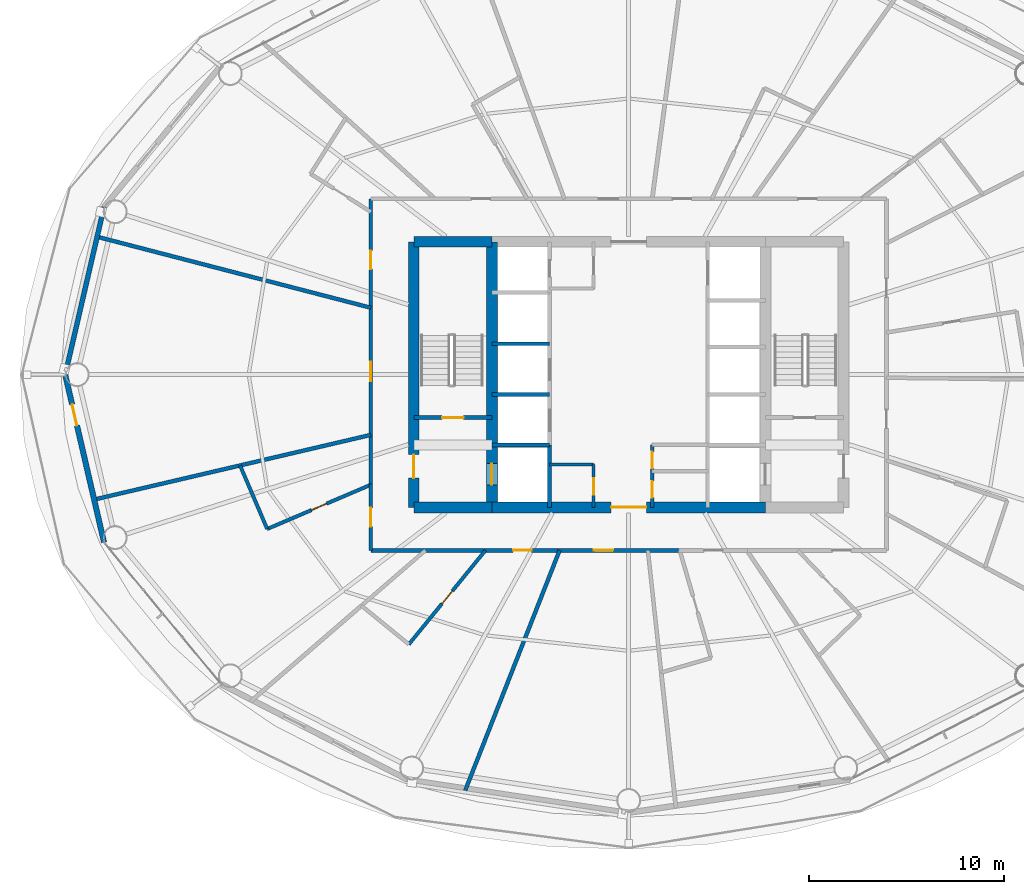
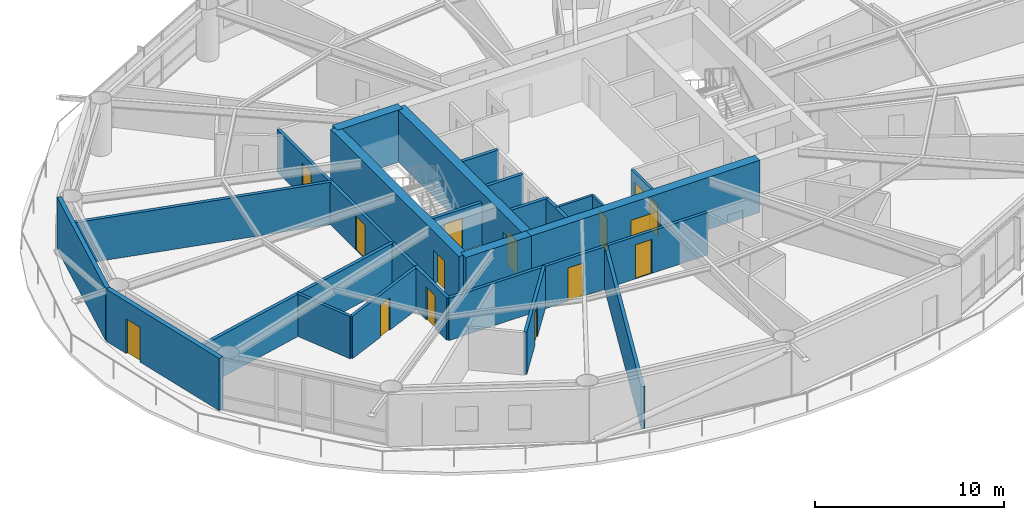
# One storey, part 18 of 24: 24 walls, 15 doors, 15 openings.
"""IFC4 building model written with IfcOpenShell, lengths in metres."""

import ifcopenshell
import ifcopenshell.guid

model = None  # the IFC model being written
_history = None  # IfcOwnerHistory: only IFC2X3 demands one
_inside = {}  # id of a spatial element -> (the spatial element, [elements in it])
_under = {}  # id of a project, library or spatial element -> (it, [spatial elements below it])
_declared = {}  # id of a project -> (the project, [libraries it declares])
_typed = {}  # id of a type object -> (the type object, [elements of that type])
_made_of = {}  # id of a material, layer set ... -> (it, [elements and type objects made of it])


def new_model(schema):
    """Start an empty IFC model of exactly this schema.

    Asked for "IFC4X3", IfcOpenShell would pick the latest addendum, in which some entities
    have other attributes; the version numbers below select the first issue.
    IFC2X3 requires an IfcOwnerHistory on every rooted entity: one is made here for all.
    """
    global model, _history
    if schema == "IFC4X3":
        model = ifcopenshell.file(schema_version=(4, 3, 0, 0))
    else:
        model = ifcopenshell.file(schema=schema)
    _inside.clear()
    _under.clear()
    _declared.clear()
    _typed.clear()
    _made_of.clear()
    _history = None
    if model.schema == "IFC2X3":
        org = make("IfcOrganization", Name="unknown")
        user = make(
            "IfcPersonAndOrganization",
            ThePerson=make("IfcPerson", FamilyName="unknown"),
            TheOrganization=org,
        )
        app = make(
            "IfcApplication",
            ApplicationDeveloper=org,
            Version="unknown",
            ApplicationFullName="unknown",
            ApplicationIdentifier="unknown",
        )
        _history = make(
            "IfcOwnerHistory",
            OwningUser=user,
            OwningApplication=app,
            ChangeAction="ADDED",
            CreationDate=0,
        )
    return model


def make(cls, **values):
    """One entity of the class cls with the attributes given. An attribute that is None is left unset."""
    return model.create_entity(
        cls, **{name: value for name, value in values.items() if value is not None}
    )


def rooted(cls, **values):
    """An entity with a GlobalId (a new one), such as an element, a storey or a relation."""
    return make(cls, GlobalId=ifcopenshell.guid.new(), OwnerHistory=_history, **values)


def si_unit(unit_type, name, prefix=None):
    """IfcSIUnit, for example si_unit("LENGTHUNIT", "METRE", prefix="MILLI")."""
    return make("IfcSIUnit", UnitType=unit_type, Prefix=prefix, Name=name)


def assignment(units):
    """IfcUnitAssignment: the units of a project."""
    return None if units is None else make("IfcUnitAssignment", Units=units)


def point(xyz):
    """IfcCartesianPoint."""
    return None if xyz is None else make("IfcCartesianPoint", Coordinates=xyz)


def direction(xyz):
    """IfcDirection."""
    return None if xyz is None else make("IfcDirection", DirectionRatios=xyz)


def frame(location, z_axis=None, x_axis=None):
    """IfcAxis2Placement3D, a coordinate frame: its origin and axes. An axis left out is left unset."""
    return make(
        "IfcAxis2Placement3D",
        Location=point(location),
        Axis=direction(z_axis),
        RefDirection=direction(x_axis),
    )


def frame_2d(location, x_axis=None):
    """IfcAxis2Placement2D, a coordinate frame in the plane: its origin and x axis."""
    return make(
        "IfcAxis2Placement2D", Location=point(location), RefDirection=direction(x_axis)
    )


def origin():
    """The frame at (0, 0, 0) with its axes left unset."""
    return frame((0.0, 0.0, 0.0))


def place(relative_to, where):
    """IfcLocalPlacement: puts the frame where relative to a parent placement (None: the world)."""
    return make(
        "IfcLocalPlacement", PlacementRelTo=relative_to, RelativePlacement=where
    )


def context(
    kind, dimensions, precision=None, world=None, true_north=None, identifier=None
):
    """IfcGeometricRepresentationContext, for example the 3D "Model" context."""
    return make(
        "IfcGeometricRepresentationContext",
        ContextIdentifier=identifier,
        ContextType=kind,
        CoordinateSpaceDimension=dimensions,
        Precision=precision,
        WorldCoordinateSystem=world,
        TrueNorth=true_north,
    )


def subcontext(parent, identifier, kind, view, scale=None):
    """IfcGeometricRepresentationSubContext, for example "Body" below "Model"."""
    return make(
        "IfcGeometricRepresentationSubContext",
        ContextIdentifier=identifier,
        ContextType=kind,
        ParentContext=parent,
        TargetScale=scale,
        TargetView=view,
    )


def project(units=None, contexts=None):
    """IfcProject with its units and contexts."""
    return rooted(
        "IfcProject",
        Name="project",
        RepresentationContexts=contexts,
        UnitsInContext=assignment(units),
    )


def spatial(cls, under=None, at=None, **own):
    """A site, building, storey or space (cls), placed at a placement, below another one or the project."""
    s = rooted(cls, ObjectPlacement=at, **own)
    if under is not None:
        _under.setdefault(under.id(), (under, []))[1].append(s)
    return s


def profile(cls, at=None, kind="AREA", **sizes):
    """A parametric profile (cls). Its sizes go by their IFC names, for example OverallWidth=200.0."""
    return make(cls, ProfileType=kind, Position=at, **sizes)


def rectangle(**sizes):
    """IfcRectangleProfileDef."""
    return profile("IfcRectangleProfileDef", **sizes)


def extrude(swept, where, along, depth):
    """IfcExtrudedAreaSolid: the profile swept, set in the frame where, extruded along a direction by depth."""
    return make(
        "IfcExtrudedAreaSolid",
        SweptArea=swept,
        Position=where,
        ExtrudedDirection=direction(along),
        Depth=depth,
    )


def shape(context_of_items, identifier, shape_type, items):
    """IfcShapeRepresentation: the items that make up one representation, for example the "Body"."""
    return make(
        "IfcShapeRepresentation",
        ContextOfItems=context_of_items,
        RepresentationIdentifier=identifier,
        RepresentationType=shape_type,
        Items=items,
    )


def material(Name=None, Category=None):
    """IfcMaterial."""
    return make("IfcMaterial", Name=Name, Category=Category)


def layer(
    of_material, thickness, ventilated=None, Name=None, Category=None, Priority=None
):
    """IfcMaterialLayer: one layer of a wall or slab, of a material (None: an air gap)."""
    return make(
        "IfcMaterialLayer",
        Material=of_material,
        LayerThickness=thickness,
        IsVentilated=ventilated,
        Name=Name,
        Category=Category,
        Priority=Priority,
    )


def layer_set(layers, Name=None):
    """IfcMaterialLayerSet."""
    return make("IfcMaterialLayerSet", MaterialLayers=layers, LayerSetName=Name)


def made_of(thing, what):
    """Note that an element or type object is made of a material, layer set ...; save() writes the relation."""
    if what is not None:
        _made_of.setdefault(what.id(), (what, []))[1].append(thing)
    return thing


def type_object(cls, material=None, **own):
    """A type object (cls), such as IfcWallType, which elements share."""
    return made_of(rooted(cls, **own), material)


def element(
    cls,
    number,
    at=None,
    inside=None,
    cuts=None,
    type_object=None,
    material=None,
    context=None,
    identifier="Body",
    shape_type=None,
    held_by="IfcProductDefinitionShape",
    body=None,
    shapes=None,
    **own,
):
    """One element of the class cls, such as IfcWall. Its Tag is "e" and its number.

    at: its placement. inside: the storey or other place that contains it. cuts: it is an
    opening in that element (IfcRelVoidsElement). A single representation is given by context,
    identifier, shape_type and body (its items); several are given by shapes. held_by: the class
    of the entity that holds the representations. save() writes the other relations.
    """
    e = rooted(cls, Tag="e%d" % number, ObjectPlacement=at, **own)
    if body is not None:
        shapes = [shape(context, identifier, shape_type, body)]
    if shapes is not None:
        e.Representation = make(held_by, Representations=shapes)
    if inside is not None:
        _inside.setdefault(inside.id(), (inside, []))[1].append(e)
    if cuts is not None:
        rooted(
            "IfcRelVoidsElement", RelatingBuildingElement=cuts, RelatedOpeningElement=e
        )
    if type_object is not None:
        _typed.setdefault(type_object.id(), (type_object, []))[1].append(e)
    return made_of(e, material)


def fill(opening, filler):
    """IfcRelFillsElement: the door or window that sits in an opening."""
    return rooted(
        "IfcRelFillsElement",
        RelatingOpeningElement=opening,
        RelatedBuildingElement=filler,
    )


def aggregate(whole, parts):
    """IfcRelAggregates: a whole, such as a stair, and the parts it consists of."""
    return rooted("IfcRelAggregates", RelatingObject=whole, RelatedObjects=parts)


def save(model, path):
    """Write the relations noted so far, then the file.

    IfcRelAggregates (storeys below a building ...), IfcRelContainedInSpatialStructure (elements
    in a storey), IfcRelDefinesByType, IfcRelAssociatesMaterial and IfcRelDeclares: one each for
    every whole, place, type object, material and project.
    """
    for whole, parts in _under.values():
        aggregate(whole, parts)
    for where, things in _inside.values():
        rooted(
            "IfcRelContainedInSpatialStructure",
            RelatedElements=things,
            RelatingStructure=where,
        )
    for kind, things in _typed.values():
        rooted("IfcRelDefinesByType", RelatedObjects=things, RelatingType=kind)
    for what, things in _made_of.values():
        rooted("IfcRelAssociatesMaterial", RelatedObjects=things, RelatingMaterial=what)
    for by, libraries in _declared.values():
        rooted("IfcRelDeclares", RelatingContext=by, RelatedDefinitions=libraries)
    model.write(path)


model = new_model("IFC4")

# Units and contexts
model_context = context("Model", 3, precision=1e-05, world=origin(), true_north=direction((0.0, 1.0)))
body_context = subcontext(model_context, "Body", "Model", "MODEL_VIEW")
ifc_project = project(units=[si_unit("LENGTHUNIT", "METRE"), si_unit("AREAUNIT", "SQUARE_METRE"), si_unit("VOLUMEUNIT", "CUBIC_METRE"), si_unit("PLANEANGLEUNIT", "RADIAN"), si_unit("MASSUNIT", "GRAM", prefix="KILO")], contexts=[model_context])

# Site, building, storey
site_placement = place(None, origin())
site = spatial("IfcSite", under=ifc_project, at=site_placement, CompositionType="ELEMENT")
building_placement = place(site_placement, origin())
building = spatial("IfcBuilding", under=site, at=building_placement, Name="Sarneth Arch Tower", CompositionType="ELEMENT")
storey_placement = place(building_placement, frame((0.0, 0.0, 112.800048828125)))
storey = spatial("IfcBuildingStorey", under=building, at=storey_placement, Name="L28", CompositionType="ELEMENT", Elevation=112.800048828125)

# Wall
ifc_material_1 = material(Name="Concrete C60/75", Category="concrete")
ifc_layer_1 = layer(ifc_material_1, 0.550048828125)
ifc_layer_set_1 = layer_set([ifc_layer_1], Name="Concrete C60/75")
wall_type_1 = type_object("IfcWallType", Name="WALL-CORE-550", PredefinedType="SHEAR", material=ifc_layer_set_1)
wall_1_placement = place(storey_placement, frame((37.0, 35.199951171875, 0.0), z_axis=(0.0, 0.0, 1.0), x_axis=(1.0, 0.0, 0.0)))
element("IfcWall", 1, at=wall_1_placement, inside=storey, type_object=wall_type_1, Name="L28 Core shear wall S-W", PredefinedType="SHEAR", context=body_context, shape_type="SweptSolid", body=[
    extrude(rectangle(XDim=4.0, YDim=0.550048828125, at=frame_2d((2.0, 0.0))), origin(), (0.0, 0.0, 1.0), 3.3798828125),
])

# Wall, opening, door
wall_2_placement = place(storey_placement, frame((41.0, 35.199951171875, 0.0), z_axis=(0.0, 0.0, 1.0), x_axis=(1.0, 0.0, 0.0)))
wall_2 = element("IfcWall", 2, at=wall_2_placement, inside=storey, type_object=wall_type_1, Name="L28 Core shear wall S-M", PredefinedType="SHEAR", context=body_context, shape_type="SweptSolid", body=[
    extrude(rectangle(XDim=14.0, YDim=0.550048828125, at=frame_2d((7.0, 0.0))), origin(), (0.0, 0.0, 1.0), 3.3798828125),
])
opening_1_placement = place(wall_2_placement, frame((6.10009765625, 0.0, 0.0)))
opening_1 = element("IfcOpeningElement", 3, at=opening_1_placement, cuts=wall_2, Name="Opening FD-01", PredefinedType="OPENING", context=body_context, shape_type="SweptSolid", body=[
    extrude(rectangle(XDim=1.800048828125, YDim=2.25, at=frame_2d((0.89990234375, 1.125))), frame((0.0, 0.284912109375, 0.0), z_axis=(0.0, -1.0, 0.0), x_axis=(1.0, 0.0, 0.0)), (0.0, 0.0, 1.0), 0.570068359375),
])
ifc_material_2 = material(Name="Galvanised Steel S275 fire door set", Category="steel")
door_type_1 = type_object("IfcDoorType", Name="DR-FD90-1800", OperationType="DOUBLE_DOOR_SINGLE_SWING", PredefinedType="DOOR", material=ifc_material_2)
door_1_placement = place(opening_1_placement, origin())
door_1 = element("IfcDoor", 4, at=door_1_placement, inside=storey, type_object=door_type_1, Name="L28 Central lift lobby south door", OperationType="DOUBLE_DOOR_SINGLE_SWING", OverallHeight=2.25, OverallWidth=1.800048828125, PredefinedType="DOOR", context=body_context, shape_type="SweptSolid", body=[
    extrude(rectangle(XDim=1.800048828125, YDim=2.25, at=frame_2d((0.89990234375, 1.125))), frame((0.0, 0.02490234375, 0.0), z_axis=(0.0, -1.0, 0.0), x_axis=(1.0, 0.0, 0.0)), (0.0, 0.0, 1.0), 0.050048828125),
])
fill(opening_1, door_1)

# Wall
wall_3_placement = place(storey_placement, frame((37.0, 48.800048828125, 0.0), z_axis=(0.0, 0.0, 1.0), x_axis=(1.0, 0.0, 0.0)))
element("IfcWall", 5, at=wall_3_placement, inside=storey, type_object=wall_type_1, Name="L28 Core shear wall N-W", PredefinedType="SHEAR", context=body_context, shape_type="SweptSolid", body=[
    extrude(rectangle(XDim=4.0, YDim=0.550048828125, at=frame_2d((2.0, 0.0))), origin(), (0.0, 0.0, 1.0), 3.3798828125),
])

# Wall, opening, door
wall_4_placement = place(storey_placement, frame((37.0, 35.199951171875, 0.0), z_axis=(0.0, 0.0, 1.0), x_axis=(0.0, 1.0, 0.0)))
wall_4 = element("IfcWall", 6, at=wall_4_placement, inside=storey, type_object=wall_type_1, Name="L28 Core shear wall W", PredefinedType="SHEAR", context=body_context, shape_type="SweptSolid", body=[
    extrude(rectangle(XDim=13.60009765625, YDim=0.550048828125, at=frame_2d((6.800048828125, 0.0))), origin(), (0.0, 0.0, 1.0), 3.3798828125),
])
opening_2_placement = place(wall_4_placement, frame((1.5, 0.0, 0.0)))
opening_2 = element("IfcOpeningElement", 7, at=opening_2_placement, cuts=wall_4, Name="Opening FD-02", PredefinedType="OPENING", context=body_context, shape_type="SweptSolid", body=[
    extrude(rectangle(XDim=1.199951171875, YDim=2.14990234375, at=frame_2d((0.60009765625, 1.074951171875))), frame((0.0, 0.284912109375, 0.0), z_axis=(0.0, -1.0, 0.0), x_axis=(1.0, 0.0, 0.0)), (0.0, 0.0, 1.0), 0.570068359375),
])
ifc_material_3 = material(Name="Galvanised Steel S275 fire door set", Category="steel")
door_type_2 = type_object("IfcDoorType", Name="DR-FD90-1200", OperationType="SINGLE_SWING_LEFT", PredefinedType="DOOR", material=ifc_material_3)
door_2_placement = place(opening_2_placement, origin())
door_2 = element("IfcDoor", 8, at=door_2_placement, inside=storey, type_object=door_type_2, Name="L28 Firefighting lobby 1 exit door", OperationType="SINGLE_SWING_LEFT", OverallHeight=2.14990234375, OverallWidth=1.199951171875, PredefinedType="DOOR", context=body_context, shape_type="SweptSolid", body=[
    extrude(rectangle(XDim=1.199951171875, YDim=2.14990234375, at=frame_2d((0.60009765625, 1.074951171875))), frame((0.0, 0.02490234375, 0.0), z_axis=(0.0, -1.0, 0.0), x_axis=(1.0, 0.0, 0.0)), (0.0, 0.0, 1.0), 0.050048828125),
])
fill(opening_2, door_2)

wall_5_placement = place(storey_placement, frame((41.0, 35.199951171875, 0.0), z_axis=(0.0, 0.0, 1.0), x_axis=(0.0, 1.0, 0.0)))
wall_5 = element("IfcWall", 9, at=wall_5_placement, inside=storey, type_object=wall_type_1, Name="L28 Core shear wall WEB-W", PredefinedType="SHEAR", context=body_context, shape_type="SweptSolid", body=[
    extrude(rectangle(XDim=13.60009765625, YDim=0.550048828125, at=frame_2d((6.800048828125, 0.0))), origin(), (0.0, 0.0, 1.0), 3.3798828125),
])
opening_3_placement = place(wall_5_placement, frame((1.14990234375, 0.0, 0.0)))
opening_3 = element("IfcOpeningElement", 10, at=opening_3_placement, cuts=wall_5, Name="Opening LD-1", PredefinedType="OPENING", context=body_context, shape_type="SweptSolid", body=[
    extrude(rectangle(XDim=1.10009765625, YDim=2.199951171875, at=frame_2d((0.550048828125, 1.10009765625))), frame((0.0, 0.284912109375, 0.0), z_axis=(0.0, -1.0, 0.0), x_axis=(1.0, 0.0, 0.0)), (0.0, 0.0, 1.0), 0.570068359375),
])
ifc_material_4 = material(Name="Brushed Stainless Steel 304 lift landing door", Category="steel")
door_type_3 = type_object("IfcDoorType", Name="DR-LIFT-SLIDE-1100", OperationType="SLIDING_TO_LEFT", PredefinedType="DOOR", material=ifc_material_4)
door_3_placement = place(opening_3_placement, origin())
door_3 = element("IfcDoor", 11, at=door_3_placement, inside=storey, type_object=door_type_3, Name="L28 Firefighting lift landing door FL-1", OperationType="SLIDING_TO_LEFT", OverallHeight=2.199951171875, OverallWidth=1.10009765625, PredefinedType="DOOR", context=body_context, shape_type="SweptSolid", body=[
    extrude(rectangle(XDim=1.10009765625, YDim=2.199951171875, at=frame_2d((0.550048828125, 1.10009765625))), frame((0.0, 0.02490234375, 0.0), z_axis=(0.0, -1.0, 0.0), x_axis=(1.0, 0.0, 0.0)), (0.0, 0.0, 1.0), 0.050048828125),
])
fill(opening_3, door_3)

# Wall, openings, doors
ifc_material_5 = material(Name="Double steel-stud corridor fire wall", Category="steel")
ifc_layer_2 = layer(ifc_material_5, 0.18994140625)
ifc_layer_set_2 = layer_set([ifc_layer_2], Name="Double steel-stud corridor fire wall")
wall_type_2 = type_object("IfcWallType", Name="WALL-CORR-190", PredefinedType="PARTITIONING", material=ifc_layer_set_2)
wall_6_placement = place(storey_placement, frame((34.800048828125, 36.32861328125, 0.0), z_axis=(0.0, 0.0, 1.0), x_axis=(0.0, 1.0, 0.0)))
wall_6 = element("IfcWall", 12, at=wall_6_placement, inside=storey, type_object=wall_type_2, Name="L28 Interior partition W-L28-TP-012", PredefinedType="PARTITIONING", context=body_context, shape_type="SweptSolid", body=[
    extrude(rectangle(XDim=14.67138671875, YDim=0.18994140625, at=frame_2d((7.335693359375, 0.0))), origin(), (0.0, 0.0, 1.0), 2.739990234375),
])
opening_4_placement = place(wall_6_placement, frame((5.3408203125, 0.0, 0.0)))
opening_4 = element("IfcOpeningElement", 13, at=opening_4_placement, cuts=wall_6, Name="Opening FD-08", PredefinedType="OPENING", context=body_context, shape_type="SweptSolid", body=[
    extrude(rectangle(XDim=1.0, YDim=2.199951171875, at=frame_2d((0.5, 1.10009765625))), frame((0.0, 0.10498046875, 0.0), z_axis=(0.0, -1.0, 0.0), x_axis=(1.0, 0.0, 0.0)), (0.0, 0.0, 1.0), 0.2099609375),
])
opening_5_placement = place(wall_6_placement, frame((11.076416015625, 0.0, 0.0)))
opening_5 = element("IfcOpeningElement", 14, at=opening_5_placement, cuts=wall_6, Name="Opening FD-09", PredefinedType="OPENING", context=body_context, shape_type="SweptSolid", body=[
    extrude(rectangle(XDim=0.949951171875, YDim=2.14990234375, at=frame_2d((0.47509765625, 1.074951171875))), frame((0.0, 0.10498046875, 0.0), z_axis=(0.0, -1.0, 0.0), x_axis=(1.0, 0.0, 0.0)), (0.0, 0.0, 1.0), 0.2099609375),
])
ifc_material_6 = material(Name="Hardwood timber acoustic fire door", Category="wood")
door_type_4 = type_object("IfcDoorType", Name="DR-FD60-1000", OperationType="SINGLE_SWING_LEFT", PredefinedType="DOOR", material=ifc_material_6)
door_4_placement = place(opening_4_placement, origin())
door_4 = element("IfcDoor", 15, at=door_4_placement, inside=storey, type_object=door_type_4, Name="L28 Interior door DR-L28-AMN-06", OperationType="SINGLE_SWING_RIGHT", OverallHeight=2.199951171875, OverallWidth=1.0, PredefinedType="DOOR", context=body_context, shape_type="SweptSolid", body=[
    extrude(rectangle(XDim=1.0, YDim=2.199951171875, at=frame_2d((0.5, 1.10009765625))), frame((0.0, 0.02490234375, 0.0), z_axis=(0.0, -1.0, 0.0), x_axis=(1.0, 0.0, 0.0)), (0.0, 0.0, 1.0), 0.050048828125),
])
fill(opening_4, door_4)
ifc_material_7 = material(Name="Hardwood timber hotel entrance fire door", Category="wood")
door_type_5 = type_object("IfcDoorType", Name="DR-FD60-950", OperationType="SINGLE_SWING_RIGHT", PredefinedType="DOOR", material=ifc_material_7)
door_5_placement = place(opening_5_placement, origin())
door_5 = element("IfcDoor", 16, at=door_5_placement, inside=storey, type_object=door_type_5, Name="L28 Interior door DR-L28-KEY-05", OperationType="SINGLE_SWING_LEFT", OverallHeight=2.14990234375, OverallWidth=0.949951171875, PredefinedType="DOOR", context=body_context, shape_type="SweptSolid", body=[
    extrude(rectangle(XDim=0.949951171875, YDim=2.14990234375, at=frame_2d((0.47509765625, 1.074951171875))), frame((0.0, 0.02490234375, 0.0), z_axis=(0.0, -1.0, 0.0), x_axis=(1.0, 0.0, 0.0)), (0.0, 0.0, 1.0), 0.050048828125),
])
fill(opening_5, door_5)

wall_7_placement = place(storey_placement, frame((50.64794921875, 33.0, 0.0), z_axis=(0.0, 0.0, 1.0), x_axis=(-1.0, 0.0, 0.0)))
wall_7 = element("IfcWall", 17, at=wall_7_placement, inside=storey, type_object=wall_type_2, Name="L28 Interior partition W-L28-TP-018", PredefinedType="PARTITIONING", context=body_context, shape_type="SweptSolid", body=[
    extrude(rectangle(XDim=15.847900390625, YDim=0.18994140625, at=frame_2d((7.923828125, 0.0))), origin(), (0.0, 0.0, 1.0), 2.739990234375),
])
opening_6_placement = place(wall_7_placement, frame((3.427001953125, 0.0, 0.0)))
opening_6 = element("IfcOpeningElement", 18, at=opening_6_placement, cuts=wall_7, Name="Opening FD-08", PredefinedType="OPENING", context=body_context, shape_type="SweptSolid", body=[
    extrude(rectangle(XDim=1.0, YDim=2.199951171875, at=frame_2d((0.5, 1.10009765625))), frame((0.0, 0.10498046875, 0.0), z_axis=(0.0, -1.0, 0.0), x_axis=(1.0, 0.0, 0.0)), (0.0, 0.0, 1.0), 0.2099609375),
])
opening_7_placement = place(wall_7_placement, frame((7.613525390625, 0.0, 0.0)))
opening_7 = element("IfcOpeningElement", 19, at=opening_7_placement, cuts=wall_7, Name="Opening FD-09", PredefinedType="OPENING", context=body_context, shape_type="SweptSolid", body=[
    extrude(rectangle(XDim=0.949951171875, YDim=2.14990234375, at=frame_2d((0.47509765625, 1.074951171875))), frame((0.0, 0.10498046875, 0.0), z_axis=(0.0, -1.0, 0.0), x_axis=(1.0, 0.0, 0.0)), (0.0, 0.0, 1.0), 0.2099609375),
])
door_6_placement = place(opening_6_placement, origin())
door_6 = element("IfcDoor", 20, at=door_6_placement, inside=storey, type_object=door_type_4, Name="L28 Interior door DR-L28-AMN-09", OperationType="SINGLE_SWING_RIGHT", OverallHeight=2.199951171875, OverallWidth=1.0, PredefinedType="DOOR", context=body_context, shape_type="SweptSolid", body=[
    extrude(rectangle(XDim=1.0, YDim=2.199951171875, at=frame_2d((0.5, 1.10009765625))), frame((0.0, 0.02490234375, 0.0), z_axis=(0.0, -1.0, 0.0), x_axis=(1.0, 0.0, 0.0)), (0.0, 0.0, 1.0), 0.050048828125),
])
fill(opening_6, door_6)
door_7_placement = place(opening_7_placement, origin())
door_7 = element("IfcDoor", 21, at=door_7_placement, inside=storey, type_object=door_type_5, Name="L28 Interior door DR-L28-KEY-08", OperationType="SINGLE_SWING_RIGHT", OverallHeight=2.14990234375, OverallWidth=0.949951171875, PredefinedType="DOOR", context=body_context, shape_type="SweptSolid", body=[
    extrude(rectangle(XDim=0.949951171875, YDim=2.14990234375, at=frame_2d((0.47509765625, 1.074951171875))), frame((0.0, 0.02490234375, 0.0), z_axis=(0.0, -1.0, 0.0), x_axis=(1.0, 0.0, 0.0)), (0.0, 0.0, 1.0), 0.050048828125),
])
fill(opening_7, door_7)

# Wall, opening, door
wall_8_placement = place(storey_placement, frame((34.800048828125, 33.0, 0.0), z_axis=(0.0, 0.0, 1.0), x_axis=(0.0, 1.0, 0.0)))
wall_8 = element("IfcWall", 22, at=wall_8_placement, inside=storey, type_object=wall_type_2, Name="L28 Interior partition W-L28-TP-014", PredefinedType="PARTITIONING", context=body_context, shape_type="SweptSolid", body=[
    extrude(rectangle(XDim=3.398193359375, YDim=0.18994140625, at=frame_2d((1.69921875, 0.0))), origin(), (0.0, 0.0, 1.0), 2.739990234375),
])
opening_8_placement = place(wall_8_placement, frame((1.22412109375, 0.0, 0.0)))
opening_8 = element("IfcOpeningElement", 23, at=opening_8_placement, cuts=wall_8, Name="Opening FD-09", PredefinedType="OPENING", context=body_context, shape_type="SweptSolid", body=[
    extrude(rectangle(XDim=0.949951171875, YDim=2.14990234375, at=frame_2d((0.47509765625, 1.074951171875))), frame((0.0, 0.10498046875, 0.0), z_axis=(0.0, -1.0, 0.0), x_axis=(1.0, 0.0, 0.0)), (0.0, 0.0, 1.0), 0.2099609375),
])
door_8_placement = place(opening_8_placement, origin())
door_8 = element("IfcDoor", 24, at=door_8_placement, inside=storey, type_object=door_type_5, Name="L28 Interior door DR-L28-KEY-07", OperationType="SINGLE_SWING_LEFT", OverallHeight=2.14990234375, OverallWidth=0.949951171875, PredefinedType="DOOR", context=body_context, shape_type="SweptSolid", body=[
    extrude(rectangle(XDim=0.949951171875, YDim=2.14990234375, at=frame_2d((0.47509765625, 1.074951171875))), frame((0.0, 0.02490234375, 0.0), z_axis=(0.0, -1.0, 0.0), x_axis=(1.0, 0.0, 0.0)), (0.0, 0.0, 1.0), 0.050048828125),
])
fill(opening_8, door_8)

# Wall
ifc_material_8 = material(Name="Extruded terracotta rainscreen on Concrete C40/50 backing", Category="masonry")
ifc_layer_3 = layer(ifc_material_8, 0.25)
ifc_layer_set_3 = layer_set([ifc_layer_3], Name="Extruded terracotta rainscreen on Concrete C40/50 backing")
wall_type_3 = type_object("IfcWallType", Name="WALL-EXT-SPAND-250", PredefinedType="SOLIDWALL", material=ifc_layer_set_3)
wall_9_placement = place(storey_placement, frame((21.138671875, 50.58349609375, 0.0), z_axis=(0.0, 0.0, 1.0), x_axis=(-0.22558597182, -0.974223264616, 0.0)))
element("IfcWall", 25, at=wall_9_placement, inside=storey, type_object=wall_type_3, Name="L28 Terracotta perimeter wall 08", PredefinedType="SOLIDWALL", context=body_context, shape_type="SweptSolid", body=[
    extrude(rectangle(XDim=8.810546875, YDim=0.25, at=frame_2d((4.4052734375, 0.0))), origin(), (0.0, 0.0, 1.0), 3.3798828125),
])

# Wall, opening, door
ifc_material_9 = material(Name="Extruded terracotta rainscreen on Concrete C40/50 backing", Category="masonry")
ifc_layer_4 = layer(ifc_material_9, 0.280029296875)
ifc_layer_set_4 = layer_set([ifc_layer_4], Name="Extruded terracotta rainscreen on Concrete C40/50 backing")
wall_type_4 = type_object("IfcWallType", Name="WALL-EXT-TERRA-280", PredefinedType="SOLIDWALL", material=ifc_layer_set_4)
wall_10_placement = place(storey_placement, frame((19.151123046875, 42.0, 0.0), z_axis=(0.0, 0.0, 1.0), x_axis=(0.22558597182, -0.974223264616, 0.0)))
wall_10 = element("IfcWall", 26, at=wall_10_placement, inside=storey, type_object=wall_type_4, Name="L28 Terracotta perimeter wall 09", PredefinedType="SOLIDWALL", context=body_context, shape_type="SweptSolid", body=[
    extrude(rectangle(XDim=8.810546875, YDim=0.280029296875, at=frame_2d((4.4052734375, 0.0))), origin(), (0.0, 0.0, 1.0), 3.3798828125),
])
opening_9_placement = place(wall_10_placement, frame((1.568115234375, 0.0, 0.0)))
opening_9 = element("IfcOpeningElement", 27, at=opening_9_placement, cuts=wall_10, Name="Opening BD-3", PredefinedType="OPENING", context=body_context, shape_type="SweptSolid", body=[
    extrude(rectangle(XDim=1.10009765625, YDim=2.25, at=frame_2d((0.550048828125, 1.125))), frame((0.0, 0.14990234375, 0.0), z_axis=(0.0, -1.0, 0.0), x_axis=(1.0, 0.0, 0.0)), (0.0, 0.0, 1.0), 0.300048828125),
])
ifc_material_10 = material(Name="Thermally broken Aluminium 6063-T6 and laminated safety glass", Category="aluminium")
door_type_6 = type_object("IfcDoorType", Name="DR-BALC-GLZ-1100", OperationType="SINGLE_SWING_LEFT", PredefinedType="DOOR", material=ifc_material_10)
door_9_placement = place(opening_9_placement, origin())
door_9 = element("IfcDoor", 28, at=door_9_placement, inside=storey, type_object=door_type_6, Name="L28 Balcony glazed door 09", OperationType="SINGLE_SWING_LEFT", OverallHeight=2.25, OverallWidth=1.10009765625, PredefinedType="DOOR", context=body_context, shape_type="SweptSolid", body=[
    extrude(rectangle(XDim=1.10009765625, YDim=2.25, at=frame_2d((0.550048828125, 1.125))), frame((0.0, 0.02490234375, 0.0), z_axis=(0.0, -1.0, 0.0), x_axis=(1.0, 0.0, 0.0)), (0.0, 0.0, 1.0), 0.050048828125),
])
fill(opening_9, door_9)

# Wall
ifc_material_11 = material(Name="Acoustic gypsum stud partition", Category="gypsum")
ifc_layer_5 = layer(ifc_material_11, 0.14990234375)
ifc_layer_set_5 = layer_set([ifc_layer_5], Name="Acoustic gypsum stud partition")
wall_type_5 = type_object("IfcWallType", Name="WALL-PART-150", PredefinedType="PARTITIONING", material=ifc_layer_set_5)
wall_11_placement = place(storey_placement, frame((43.949951171875, 37.39990234375, 0.0), z_axis=(0.0, 0.0, 1.0), x_axis=(1.0, 0.0, 0.0)))
element("IfcWall", 29, at=wall_11_placement, inside=storey, type_object=wall_type_5, Name="L28 Interior partition W-L28-CSUP1-N", PredefinedType="PARTITIONING", context=body_context, shape_type="SweptSolid", body=[
    extrude(rectangle(XDim=2.25, YDim=0.14990234375, at=frame_2d((1.125, 0.0))), origin(), (0.0, 0.0, 1.0), 2.739990234375),
])

# Wall, opening, door
wall_12_placement = place(storey_placement, frame((46.199951171875, 35.199951171875, 0.0), z_axis=(0.0, 0.0, 1.0), x_axis=(0.0, 1.0, 0.0)))
wall_12 = element("IfcWall", 30, at=wall_12_placement, inside=storey, type_object=wall_type_5, Name="L28 Interior partition W-L28-CSUP1-E", PredefinedType="PARTITIONING", context=body_context, shape_type="SweptSolid", body=[
    extrude(rectangle(XDim=2.199951171875, YDim=0.14990234375, at=frame_2d((1.10009765625, 0.0))), origin(), (0.0, 0.0, 1.0), 2.739990234375),
])
opening_10_placement = place(wall_12_placement, frame((0.64990234375, 0.0, 0.0)))
opening_10 = element("IfcOpeningElement", 31, at=opening_10_placement, cuts=wall_12, Name="Opening FD-11", PredefinedType="OPENING", context=body_context, shape_type="SweptSolid", body=[
    extrude(rectangle(XDim=0.85009765625, YDim=2.14990234375, at=frame_2d((0.425048828125, 1.074951171875))), frame((0.0, 0.0849609375, 0.0), z_axis=(0.0, -1.0, 0.0), x_axis=(1.0, 0.0, 0.0)), (0.0, 0.0, 1.0), 0.169921875),
])
ifc_material_12 = material(Name="Galvanised Steel S275 closet fire door", Category="steel")
door_type_7 = type_object("IfcDoorType", Name="DR-FD60-850", OperationType="SINGLE_SWING_LEFT", PredefinedType="DOOR", material=ifc_material_12)
door_10_placement = place(opening_10_placement, origin())
door_10 = element("IfcDoor", 32, at=door_10_placement, inside=storey, type_object=door_type_7, Name="L28 Interior door DR-L28-CSUP1", OperationType="SINGLE_SWING_LEFT", OverallHeight=2.14990234375, OverallWidth=0.85009765625, PredefinedType="DOOR", context=body_context, shape_type="SweptSolid", body=[
    extrude(rectangle(XDim=0.85009765625, YDim=2.14990234375, at=frame_2d((0.425048828125, 1.074951171875))), frame((0.0, 0.02490234375, 0.0), z_axis=(0.0, -1.0, 0.0), x_axis=(1.0, 0.0, 0.0)), (0.0, 0.0, 1.0), 0.050048828125),
])
fill(opening_10, door_10)

# Wall, openings, doors
ifc_material_13 = material(Name="Moisture-resistant plumbing chase wall", Category="gypsum")
ifc_layer_6 = layer(ifc_material_13, 0.179931640625)
ifc_layer_set_6 = layer_set([ifc_layer_6], Name="Moisture-resistant plumbing chase wall")
wall_type_6 = type_object("IfcWallType", Name="WALL-PLUMB-180", PredefinedType="PLUMBINGWALL", material=ifc_layer_set_6)
wall_13_placement = place(storey_placement, frame((49.199951171875, 35.199951171875, 0.0), z_axis=(0.0, 0.0, 1.0), x_axis=(0.0, 1.0, 0.0)))
wall_13 = element("IfcWall", 33, at=wall_13_placement, inside=storey, type_object=wall_type_6, Name="L28 Interior partition W-L28-AWC-W", PredefinedType="PLUMBINGWALL", context=body_context, shape_type="SweptSolid", body=[
    extrude(rectangle(XDim=3.199951171875, YDim=0.179931640625, at=frame_2d((1.60009765625, 0.0))), origin(), (0.0, 0.0, 1.0), 2.739990234375),
])
opening_11_placement = place(wall_13_placement, frame((0.5, 0.0, 0.0)))
opening_11 = element("IfcOpeningElement", 34, at=opening_11_placement, cuts=wall_13, Name="Opening ID-02", PredefinedType="OPENING", context=body_context, shape_type="SweptSolid", body=[
    extrude(rectangle(XDim=0.85009765625, YDim=2.10009765625, at=frame_2d((0.425048828125, 1.050048828125))), frame((0.0, 0.099853515625, 0.0), z_axis=(0.0, -1.0, 0.0), x_axis=(1.0, 0.0, 0.0)), (0.0, 0.0, 1.0), 0.199951171875),
])
opening_12_placement = place(wall_13_placement, frame((2.0, 0.0, 0.0)))
opening_12 = element("IfcOpeningElement", 35, at=opening_12_placement, cuts=wall_13, Name="Opening FD-11", PredefinedType="OPENING", context=body_context, shape_type="SweptSolid", body=[
    extrude(rectangle(XDim=0.85009765625, YDim=2.14990234375, at=frame_2d((0.425048828125, 1.074951171875))), frame((0.0, 0.099853515625, 0.0), z_axis=(0.0, -1.0, 0.0), x_axis=(1.0, 0.0, 0.0)), (0.0, 0.0, 1.0), 0.199951171875),
])
door_11_placement = place(opening_12_placement, origin())
door_11 = element("IfcDoor", 36, at=door_11_placement, inside=storey, type_object=door_type_7, Name="L28 Interior door DR-L28-CSUP3", OperationType="SINGLE_SWING_LEFT", OverallHeight=2.14990234375, OverallWidth=0.85009765625, PredefinedType="DOOR", context=body_context, shape_type="SweptSolid", body=[
    extrude(rectangle(XDim=0.85009765625, YDim=2.14990234375, at=frame_2d((0.425048828125, 1.074951171875))), frame((0.0, 0.02490234375, 0.0), z_axis=(0.0, -1.0, 0.0), x_axis=(1.0, 0.0, 0.0)), (0.0, 0.0, 1.0), 0.050048828125),
])
fill(opening_12, door_11)
ifc_material_14 = material(Name="Moisture-resistant bathroom timber door", Category="wood")
door_type_8 = type_object("IfcDoorType", Name="DR-INT-850", OperationType="SINGLE_SWING_RIGHT", PredefinedType="DOOR", material=ifc_material_14)
door_12_placement = place(opening_11_placement, origin())
door_12 = element("IfcDoor", 37, at=door_12_placement, inside=storey, type_object=door_type_8, Name="L28 Interior door DR-L28-AWC", OperationType="SINGLE_SWING_RIGHT", OverallHeight=2.10009765625, OverallWidth=0.85009765625, PredefinedType="DOOR", context=body_context, shape_type="SweptSolid", body=[
    extrude(rectangle(XDim=0.85009765625, YDim=2.10009765625, at=frame_2d((0.425048828125, 1.050048828125))), frame((0.0, 0.02490234375, 0.0), z_axis=(0.0, -1.0, 0.0), x_axis=(1.0, 0.0, 0.0)), (0.0, 0.0, 1.0), 0.050048828125),
])
fill(opening_11, door_12)

# Wall, opening, door
wall_14_placement = place(storey_placement, frame((40.663818359375, 33.0, 0.0), z_axis=(0.0, 0.0, 1.0), x_axis=(-0.631841179317, -0.775097880347, 0.0)))
wall_14 = element("IfcWall", 38, at=wall_14_placement, inside=storey, type_object=wall_type_6, Name="L28 Interior partition W-L28-TP-052", PredefinedType="PLUMBINGWALL", context=body_context, shape_type="SweptSolid", body=[
    extrude(rectangle(XDim=6.20166015625, YDim=0.179931640625, at=frame_2d((3.100830078125, 0.0))), origin(), (0.0, 0.0, 1.0), 2.739990234375),
])
opening_13_placement = place(wall_14_placement, frame((2.67578125, 0.0, 0.0)))
opening_13 = element("IfcOpeningElement", 39, at=opening_13_placement, cuts=wall_14, Name="Opening ID-02", PredefinedType="OPENING", context=body_context, shape_type="SweptSolid", body=[
    extrude(rectangle(XDim=0.85009765625, YDim=2.10009765625, at=frame_2d((0.425048828125, 1.050048828125))), frame((0.0, 0.099853515625, 0.0), z_axis=(0.0, -1.0, 0.0), x_axis=(1.0, 0.0, 0.0)), (0.0, 0.0, 1.0), 0.199951171875),
])
door_13_placement = place(opening_13_placement, origin())
door_13 = element("IfcDoor", 40, at=door_13_placement, inside=storey, type_object=door_type_8, Name="L28 Interior door DR-L28-ENS-08", OperationType="SINGLE_SWING_RIGHT", OverallHeight=2.10009765625, OverallWidth=0.85009765625, PredefinedType="DOOR", context=body_context, shape_type="SweptSolid", body=[
    extrude(rectangle(XDim=0.85009765625, YDim=2.10009765625, at=frame_2d((0.425048828125, 1.050048828125))), frame((0.0, 0.02490234375, 0.0), z_axis=(0.0, -1.0, 0.0), x_axis=(1.0, 0.0, 0.0)), (0.0, 0.0, 1.0), 0.050048828125),
])
fill(opening_13, door_13)

wall_15_placement = place(storey_placement, frame((29.492919921875, 34.097412109375, 0.0), z_axis=(0.0, 0.0, 1.0), x_axis=(0.919684682014, 0.392657720755, 0.0)))
wall_15 = element("IfcWall", 41, at=wall_15_placement, inside=storey, type_object=wall_type_6, Name="L28 Interior partition W-L28-TP-049", PredefinedType="PLUMBINGWALL", context=body_context, shape_type="SweptSolid", body=[
    extrude(rectangle(XDim=5.7705078125, YDim=0.179931640625, at=frame_2d((2.88525390625, 0.0))), origin(), (0.0, 0.0, 1.0), 2.739990234375),
])
opening_14_placement = place(wall_15_placement, frame((2.460205078125, 0.0, 0.0)))
opening_14 = element("IfcOpeningElement", 42, at=opening_14_placement, cuts=wall_15, Name="Opening ID-02", PredefinedType="OPENING", context=body_context, shape_type="SweptSolid", body=[
    extrude(rectangle(XDim=0.85009765625, YDim=2.10009765625, at=frame_2d((0.425048828125, 1.050048828125))), frame((0.0, 0.099853515625, 0.0), z_axis=(0.0, -1.0, 0.0), x_axis=(1.0, 0.0, 0.0)), (0.0, 0.0, 1.0), 0.199951171875),
])
door_14_placement = place(opening_14_placement, origin())
door_14 = element("IfcDoor", 43, at=door_14_placement, inside=storey, type_object=door_type_8, Name="L28 Interior door DR-L28-ENS-07", OperationType="SINGLE_SWING_RIGHT", OverallHeight=2.10009765625, OverallWidth=0.85009765625, PredefinedType="DOOR", context=body_context, shape_type="SweptSolid", body=[
    extrude(rectangle(XDim=0.85009765625, YDim=2.10009765625, at=frame_2d((0.425048828125, 1.050048828125))), frame((0.0, 0.02490234375, 0.0), z_axis=(0.0, -1.0, 0.0), x_axis=(1.0, 0.0, 0.0)), (0.0, 0.0, 1.0), 0.050048828125),
])
fill(opening_14, door_14)

# Wall
wall_16_placement = place(storey_placement, frame((28.10400390625, 37.350341796875, 0.0), z_axis=(0.0, 0.0, 1.0), x_axis=(0.392677696951, -0.919676152957, 0.0)))
element("IfcWall", 44, at=wall_16_placement, inside=storey, type_object=wall_type_6, Name="L28 Interior partition W-L28-TP-048", PredefinedType="PLUMBINGWALL", context=body_context, shape_type="SweptSolid", body=[
    extrude(rectangle(XDim=3.537109375, YDim=0.179931640625, at=frame_2d((1.7685546875, 0.0))), origin(), (0.0, 0.0, 1.0), 2.739990234375),
])

# Wall, opening, door
ifc_material_15 = material(Name="Aerated concrete blockwork C25/30", Category="masonry")
ifc_layer_7 = layer(ifc_material_15, 0.199951171875)
ifc_layer_set_7 = layer_set([ifc_layer_7], Name="Aerated concrete blockwork C25/30")
wall_type_7 = type_object("IfcWallType", Name="WALL-SHAFT-200", PredefinedType="SOLIDWALL", material=ifc_layer_set_7)
wall_17_placement = place(storey_placement, frame((37.0, 39.800048828125, 0.0), z_axis=(0.0, 0.0, 1.0), x_axis=(1.0, 0.0, 0.0)))
wall_17 = element("IfcWall", 45, at=wall_17_placement, inside=storey, type_object=wall_type_7, Name="L28 Interior partition W-L28-ST1-S", PredefinedType="SOLIDWALL", context=body_context, shape_type="SweptSolid", body=[
    extrude(rectangle(XDim=4.0, YDim=0.199951171875, at=frame_2d((2.0, 0.0))), origin(), (0.0, 0.0, 1.0), 2.739990234375),
])
opening_15_placement = place(wall_17_placement, frame((1.449951171875, 0.0, 0.0)))
opening_15 = element("IfcOpeningElement", 46, at=opening_15_placement, cuts=wall_17, Name="Opening FD-03", PredefinedType="OPENING", context=body_context, shape_type="SweptSolid", body=[
    extrude(rectangle(XDim=1.10009765625, YDim=2.14990234375, at=frame_2d((0.550048828125, 1.074951171875))), frame((0.0, 0.10986328125, 0.0), z_axis=(0.0, -1.0, 0.0), x_axis=(1.0, 0.0, 0.0)), (0.0, 0.0, 1.0), 0.219970703125),
])
ifc_material_16 = material(Name="Galvanised Steel S275 fire door set", Category="steel")
door_type_9 = type_object("IfcDoorType", Name="DR-FD90-1100", OperationType="SINGLE_SWING_LEFT", PredefinedType="DOOR", material=ifc_material_16)
door_15_placement = place(opening_15_placement, origin())
door_15 = element("IfcDoor", 47, at=door_15_placement, inside=storey, type_object=door_type_9, Name="L28 Interior door DR-L28-ST1", OperationType="SINGLE_SWING_LEFT", OverallHeight=2.14990234375, OverallWidth=1.10009765625, PredefinedType="DOOR", context=body_context, shape_type="SweptSolid", body=[
    extrude(rectangle(XDim=1.10009765625, YDim=2.14990234375, at=frame_2d((0.550048828125, 1.074951171875))), frame((0.0, 0.02490234375, 0.0), z_axis=(0.0, -1.0, 0.0), x_axis=(1.0, 0.0, 0.0)), (0.0, 0.0, 1.0), 0.050048828125),
])
fill(opening_15, door_15)

# Walls
wall_18_placement = place(storey_placement, frame((43.949951171875, 35.199951171875, 0.0), z_axis=(0.0, 0.0, 1.0), x_axis=(0.0, 1.0, 0.0)))
element("IfcWall", 48, at=wall_18_placement, inside=storey, type_object=wall_type_7, Name="L28 Interior partition W-L28-FL1-E", PredefinedType="SOLIDWALL", context=body_context, shape_type="SweptSolid", body=[
    extrude(rectangle(XDim=3.199951171875, YDim=0.199951171875, at=frame_2d((1.60009765625, 0.0))), origin(), (0.0, 0.0, 1.0), 2.739990234375),
])
for number, where, z_axis, x_axis, name in (
    (49, (41.0, 38.39990234375, 0.0), (0.0, 0.0, 1.0), (1.0, 0.0, 0.0), "L28 Interior partition W-L28-FL1-N"),
    (50, (41.0, 40.97998046875, 0.0), (0.0, 0.0, 1.0), (1.0, 0.0, 0.0), "L28 Interior partition W-L28-WB-DIV-4098"),
    (51, (41.0, 43.580078125, 0.0), (0.0, 0.0, 1.0), (1.0, 0.0, 0.0), "L28 Interior partition W-L28-WB-DIV-4358"),
):
    element("IfcWall", number, at=place(storey_placement, frame(where, z_axis=z_axis, x_axis=x_axis)), inside=storey, type_object=wall_type_7, Name=name, PredefinedType="SOLIDWALL", context=body_context, shape_type="SweptSolid", body=[
        extrude(rectangle(XDim=2.949951171875, YDim=0.199951171875, at=frame_2d((1.47509765625, 0.0))), origin(), (0.0, 0.0, 1.0), 2.739990234375),
    ])
ifc_material_17 = material(Name="Double steel-stud acoustic drywall", Category="steel")
ifc_layer_8 = layer(ifc_material_17, 0.199951171875)
ifc_layer_set_8 = layer_set([ifc_layer_8], Name="Double steel-stud acoustic drywall")
wall_type_8 = type_object("IfcWallType", Name="WALL-UNIT-200", PredefinedType="PARTITIONING", material=ifc_layer_set_8)
wall_19_placement = place(storey_placement, frame((34.800048828125, 45.423095703125, 0.0), z_axis=(0.0, 0.0, 1.0), x_axis=(-0.967976280286, 0.251041671447, 0.0)))
element("IfcWall", 52, at=wall_19_placement, inside=storey, type_object=wall_type_8, Name="L28 Interior partition W-L28-TP-045", PredefinedType="PARTITIONING", context=body_context, shape_type="SweptSolid", body=[
    extrude(rectangle(XDim=14.598388671875, YDim=0.199951171875, at=frame_2d((7.29931640625, 0.0))), origin(), (0.0, 0.0, 1.0), 2.739990234375),
])
wall_20_placement = place(storey_placement, frame((39.63037109375, 20.710693359375, 0.0), z_axis=(0.0, 0.0, 1.0), x_axis=(0.365888605627, 0.930658652929, 0.0)))
element("IfcWall", 53, at=wall_20_placement, inside=storey, type_object=wall_type_8, Name="L28 Interior partition W-L28-TP-054", PredefinedType="PARTITIONING", context=body_context, shape_type="SweptSolid", body=[
    extrude(rectangle(XDim=13.205078125, YDim=0.199951171875, at=frame_2d((6.6025390625, 0.0))), origin(), (0.0, 0.0, 1.0), 2.739990234375),
])
wall_21_placement = place(storey_placement, frame((34.800048828125, 38.915283203125, 0.0), z_axis=(0.0, 0.0, 1.0), x_axis=(-0.973762218061, -0.227567885864, 0.0)))
element("IfcWall", 54, at=wall_21_placement, inside=storey, type_object=wall_type_8, Name="L28 Interior partition W-L28-TP-046", PredefinedType="PARTITIONING", context=body_context, shape_type="SweptSolid", body=[
    extrude(rectangle(XDim=14.669921875, YDim=0.199951171875, at=frame_2d((7.3349609375, 0.0))), origin(), (0.0, 0.0, 1.0), 2.739990234375),
])

save(model, "model.ifc")
